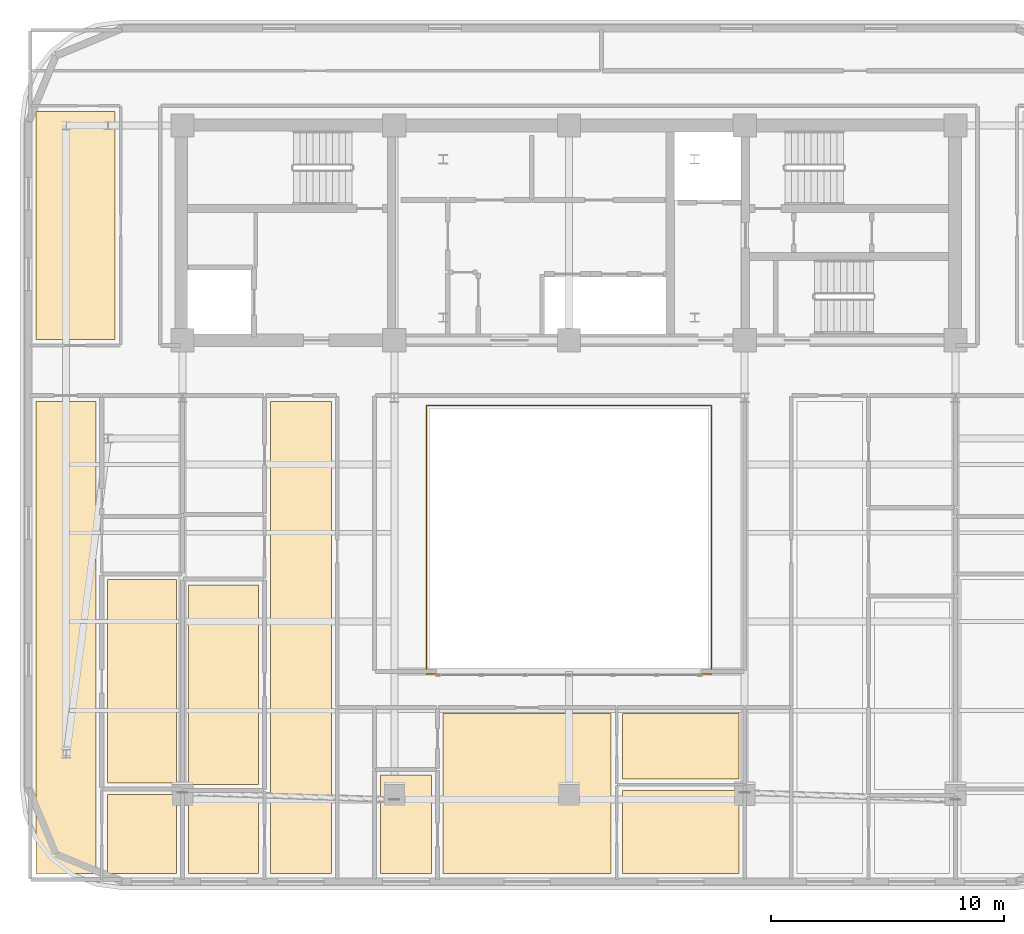
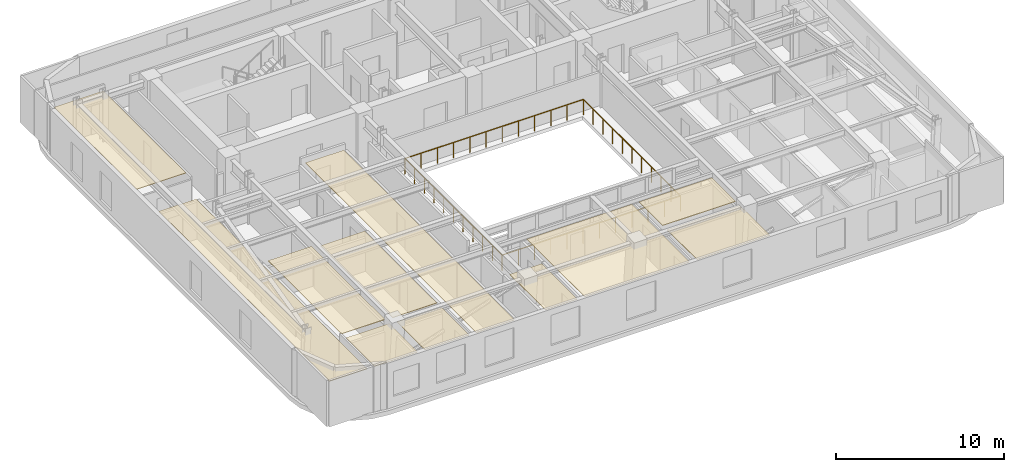
# One storey, part 12 of 15: 11 coverings, 1 railing.
"""IFC4 building model written with IfcOpenShell, lengths in metres."""

from ifc_helpers import new_model, si_unit, direction, frame, origin, origin_2d, place, context, subcontext, project, spatial, polyline, rectangle, outline, extrude, material, layer, layer_set, type_object, element, save


model = new_model("IFC4")

# Units and contexts
model_context = context("Model", 3, precision=1e-05, world=origin(), true_north=direction((0.0, 1.0)))
body_context = subcontext(model_context, "Body", "Model", "MODEL_VIEW")
ifc_project = project(units=[si_unit("LENGTHUNIT", "METRE"), si_unit("AREAUNIT", "SQUARE_METRE"), si_unit("VOLUMEUNIT", "CUBIC_METRE"), si_unit("PLANEANGLEUNIT", "RADIAN"), si_unit("MASSUNIT", "GRAM", prefix="KILO")], contexts=[model_context])

# Site, building, storey
site_placement = place(None, origin())
site = spatial("IfcSite", under=ifc_project, at=site_placement, CompositionType="ELEMENT")
building_placement = place(site_placement, origin())
building = spatial("IfcBuilding", under=site, at=building_placement, Name="Zarnavel Station Tower", CompositionType="ELEMENT")
storey_placement = place(building_placement, frame((0.0, 0.0, 196.800048828125)))
storey = spatial("IfcBuildingStorey", under=building, at=storey_placement, Name="L53", CompositionType="ELEMENT", Elevation=196.800048828125)

# Coverings
ifc_material_1 = material(Name="Perforated Gypsum and Mineral-Wool Acoustic Ceiling", Category="concrete")
ifc_layer = layer(ifc_material_1, 0.0400390625)
ifc_layer_set = layer_set([ifc_layer], Name="COV_CEIL_ACOUSTIC")
covering_type = type_object("IfcCoveringType", Name="COV_CEIL_ACOUSTIC", PredefinedType="CEILING", material=ifc_layer_set)
covering_1_placement = place(storey_placement, frame((0.0, 0.0, 3.02001953125)))
element("IfcCovering", 1, at=covering_1_placement, inside=storey, type_object=covering_type, Name="L53 FNW Acoustic Ceiling", PredefinedType="CEILING", context=body_context, shape_type="SweptSolid", body=[
    extrude(outline(polyline([(5.909912109375, 27.85009765625), (9.300048828125, 27.85009765625), (9.300048828125, 37.64990234375), (5.909912109375, 37.64990234375), (5.909912109375, 27.85009765625)])), origin(), (0.0, 0.0, 1.0), 0.0400390625),
])
covering_2_placement = place(storey_placement, frame((0.0, 0.0, 3.02001953125)))
element("IfcCovering", 2, at=covering_2_placement, inside=storey, type_object=covering_type, Name="L53 UW1LV Acoustic Ceiling", PredefinedType="CEILING", context=body_context, shape_type="SweptSolid", body=[
    extrude(outline(polyline([(5.909912109375, 4.909912109375), (8.48388671875, 4.909912109375), (8.48388671875, 25.199951171875), (5.909912109375, 25.199951171875), (5.909912109375, 4.909912109375)])), origin(), (0.0, 0.0, 1.0), 0.0400390625),
])
covering_3_placement = place(storey_placement, frame((0.0, 0.0, 3.02001953125)))
element("IfcCovering", 3, at=covering_3_placement, inside=storey, type_object=covering_type, Name="L53 UW1B1 Acoustic Ceiling", PredefinedType="CEILING", context=body_context, shape_type="SweptSolid", body=[
    extrude(outline(polyline([(8.98388671875, 4.909912109375), (11.949951171875, 4.909912109375), (11.949951171875, 8.304931640625), (8.98388671875, 8.304931640625), (8.98388671875, 4.909912109375)])), origin(), (0.0, 0.0, 1.0), 0.0400390625),
])
covering_4_placement = place(storey_placement, frame((0.0, 0.0, 3.02001953125)))
element("IfcCovering", 4, at=covering_4_placement, inside=storey, type_object=covering_type, Name="L53 UW1KT Acoustic Ceiling", PredefinedType="CEILING", context=body_context, shape_type="SweptSolid", body=[
    extrude(outline(polyline([(8.98388671875, 8.804931640625), (11.949951171875, 8.804931640625), (11.949951171875, 17.5380859375), (8.98388671875, 17.5380859375), (8.98388671875, 8.804931640625)])), origin(), (0.0, 0.0, 1.0), 0.0400390625),
])
covering_5_placement = place(storey_placement, frame((0.0, 0.0, 3.02001953125)))
element("IfcCovering", 5, at=covering_5_placement, inside=storey, type_object=covering_type, Name="L53 UW2LV Acoustic Ceiling", PredefinedType="CEILING", context=body_context, shape_type="SweptSolid", body=[
    extrude(outline(polyline([(15.97509765625, 4.909912109375), (18.60009765625, 4.909912109375), (18.60009765625, 25.199951171875), (15.97509765625, 25.199951171875), (15.97509765625, 4.909912109375)])), origin(), (0.0, 0.0, 1.0), 0.0400390625),
])
covering_6_placement = place(storey_placement, frame((0.0, 0.0, 3.02001953125)))
element("IfcCovering", 6, at=covering_6_placement, inside=storey, type_object=covering_type, Name="L53 UW2B1 Acoustic Ceiling", PredefinedType="CEILING", context=body_context, shape_type="SweptSolid", body=[
    extrude(outline(polyline([(12.449951171875, 4.909912109375), (15.47509765625, 4.909912109375), (15.47509765625, 8.239990234375), (12.449951171875, 8.239990234375), (12.449951171875, 4.909912109375)])), origin(), (0.0, 0.0, 1.0), 0.0400390625),
])
covering_7_placement = place(storey_placement, frame((0.0, 0.0, 3.02001953125)))
element("IfcCovering", 7, at=covering_7_placement, inside=storey, type_object=covering_type, Name="L53 UW2KT Acoustic Ceiling", PredefinedType="CEILING", context=body_context, shape_type="SweptSolid", body=[
    extrude(outline(polyline([(12.449951171875, 8.739990234375), (15.47509765625, 8.739990234375), (15.47509765625, 17.318115234375), (12.449951171875, 17.318115234375), (12.449951171875, 8.739990234375)])), origin(), (0.0, 0.0, 1.0), 0.0400390625),
])
covering_8_placement = place(storey_placement, frame((0.0, 0.0, 3.02001953125)))
element("IfcCovering", 8, at=covering_8_placement, inside=storey, type_object=covering_type, Name="L53 US1LV Acoustic Ceiling", PredefinedType="CEILING", context=body_context, shape_type="SweptSolid", body=[
    extrude(outline(polyline([(23.39990234375, 4.909912109375), (30.60009765625, 4.909912109375), (30.60009765625, 11.800048828125), (23.39990234375, 11.800048828125), (23.39990234375, 4.909912109375)])), origin(), (0.0, 0.0, 1.0), 0.0400390625),
])
covering_9_placement = place(storey_placement, frame((0.0, 0.0, 3.02001953125)))
element("IfcCovering", 9, at=covering_9_placement, inside=storey, type_object=covering_type, Name="L53 US1KT Acoustic Ceiling", PredefinedType="CEILING", context=body_context, shape_type="SweptSolid", body=[
    extrude(outline(polyline([(20.699951171875, 4.909912109375), (22.89990234375, 4.909912109375), (22.89990234375, 9.139892578125), (20.699951171875, 9.139892578125), (20.699951171875, 4.909912109375)])), origin(), (0.0, 0.0, 1.0), 0.0400390625),
])
covering_10_placement = place(storey_placement, frame((0.0, 0.0, 3.02001953125)))
element("IfcCovering", 10, at=covering_10_placement, inside=storey, type_object=covering_type, Name="L53 US1B1 Acoustic Ceiling", PredefinedType="CEILING", context=body_context, shape_type="SweptSolid", body=[
    extrude(outline(polyline([(31.10009765625, 4.909912109375), (36.10009765625, 4.909912109375), (36.10009765625, 8.485107421875), (31.10009765625, 8.485107421875), (31.10009765625, 4.909912109375)])), origin(), (0.0, 0.0, 1.0), 0.0400390625),
])
covering_11_placement = place(storey_placement, frame((0.0, 0.0, 3.02001953125)))
element("IfcCovering", 11, at=covering_11_placement, inside=storey, type_object=covering_type, Name="L53 US1B2 Acoustic Ceiling", PredefinedType="CEILING", context=body_context, shape_type="SweptSolid", body=[
    extrude(outline(polyline([(31.10009765625, 8.985107421875), (36.10009765625, 8.985107421875), (36.10009765625, 11.800048828125), (31.10009765625, 11.800048828125), (31.10009765625, 8.985107421875)])), origin(), (0.0, 0.0, 1.0), 0.0400390625),
])

# Railing
ifc_material_2 = material(Name="Painted Steel S355J2 Balustrade", Category="steel")
railing_type = type_object("IfcRailingType", Name="GR_INT_1150", PredefinedType="GUARDRAIL", material=ifc_material_2)
railing_placement = place(storey_placement, frame((22.679931640625, 13.47998046875, 0.0)))
element("IfcRailing", 12, at=railing_placement, inside=storey, type_object=railing_type, Name="L53 Atrium Void Guardrail", PredefinedType="GUARDRAIL", context=body_context, shape_type="SweptSolid", body=[
    extrude(rectangle(XDim=0.048095703125, YDim=0.048095703125, at=origin_2d()), frame((0.001953125, 0.0, 1.1259765625), z_axis=(1.0, 0.0, 0.0), x_axis=(0.0, 1.0, 0.0)), (0.0, 0.0, 1.0), 12.236083984375),
    extrude(rectangle(XDim=0.048095703125, YDim=0.048095703125, at=origin_2d()), frame((12.239990234375, 0.001953125, 1.1259765625), z_axis=(0.0, 1.0, 0.0), x_axis=(-1.0, 0.0, 0.0)), (0.0, 0.0, 1.0), 11.5361328125),
    extrude(rectangle(XDim=0.048095703125, YDim=0.048095703125, at=origin_2d()), frame((12.238037109375, 11.5400390625, 1.1259765625), z_axis=(-1.0, 0.0, 0.0), x_axis=(0.0, -1.0, 0.0)), (0.0, 0.0, 1.0), 12.236083984375),
    extrude(rectangle(XDim=0.048095703125, YDim=0.048095703125, at=origin_2d()), frame((0.0, 11.5380859375, 1.1259765625), z_axis=(0.0, -1.0, 0.0), x_axis=(1.0, 0.0, 0.0)), (0.0, 0.0, 1.0), 11.5361328125),
    extrude(rectangle(XDim=0.0419921875, YDim=0.0419921875, at=origin_2d()), origin(), (0.0, 0.0, 1.0), 1.101806640625),
    extrude(rectangle(XDim=0.0419921875, YDim=0.0419921875, at=origin_2d()), frame((1.11279296875, 0.0, 0.0)), (0.0, 0.0, 1.0), 1.101806640625),
    extrude(rectangle(XDim=0.0419921875, YDim=0.0419921875, at=origin_2d()), frame((2.225341796875, 0.0, 0.0)), (0.0, 0.0, 1.0), 1.101806640625),
    extrude(rectangle(XDim=0.0419921875, YDim=0.0419921875, at=origin_2d()), frame((3.338134765625, 0.0, 0.0)), (0.0, 0.0, 1.0), 1.101806640625),
    extrude(rectangle(XDim=0.0419921875, YDim=0.0419921875, at=origin_2d()), frame((4.450927734375, 0.0, 0.0)), (0.0, 0.0, 1.0), 1.101806640625),
    extrude(rectangle(XDim=0.0419921875, YDim=0.0419921875, at=origin_2d()), frame((5.563720703125, 0.0, 0.0)), (0.0, 0.0, 1.0), 1.101806640625),
    extrude(rectangle(XDim=0.0419921875, YDim=0.0419921875, at=origin_2d()), frame((6.67626953125, 0.0, 0.0)), (0.0, 0.0, 1.0), 1.101806640625),
    extrude(rectangle(XDim=0.0419921875, YDim=0.0419921875, at=origin_2d()), frame((7.7890625, 0.0, 0.0)), (0.0, 0.0, 1.0), 1.101806640625),
    extrude(rectangle(XDim=0.0419921875, YDim=0.0419921875, at=origin_2d()), frame((8.90185546875, 0.0, 0.0)), (0.0, 0.0, 1.0), 1.101806640625),
    extrude(rectangle(XDim=0.0419921875, YDim=0.0419921875, at=origin_2d()), frame((10.0146484375, 0.0, 0.0)), (0.0, 0.0, 1.0), 1.101806640625),
    extrude(rectangle(XDim=0.0419921875, YDim=0.0419921875, at=origin_2d()), frame((11.127197265625, 0.0, 0.0)), (0.0, 0.0, 1.0), 1.101806640625),
    extrude(rectangle(XDim=0.0419921875, YDim=0.0419921875, at=origin_2d()), frame((12.239990234375, 0.0, 0.0)), (0.0, 0.0, 1.0), 1.101806640625),
    extrude(rectangle(XDim=0.0419921875, YDim=0.0419921875, at=origin_2d()), frame((12.239990234375, 1.154052734375, 0.0)), (0.0, 0.0, 1.0), 1.101806640625),
    extrude(rectangle(XDim=0.0419921875, YDim=0.0419921875, at=origin_2d()), frame((12.239990234375, 2.30810546875, 0.0)), (0.0, 0.0, 1.0), 1.101806640625),
    extrude(rectangle(XDim=0.0419921875, YDim=0.0419921875, at=origin_2d()), frame((12.239990234375, 3.4619140625, 0.0)), (0.0, 0.0, 1.0), 1.101806640625),
    extrude(rectangle(XDim=0.0419921875, YDim=0.0419921875, at=origin_2d()), frame((12.239990234375, 4.615966796875, 0.0)), (0.0, 0.0, 1.0), 1.101806640625),
    extrude(rectangle(XDim=0.0419921875, YDim=0.0419921875, at=origin_2d()), frame((12.239990234375, 5.77001953125, 0.0)), (0.0, 0.0, 1.0), 1.101806640625),
    extrude(rectangle(XDim=0.0419921875, YDim=0.0419921875, at=origin_2d()), frame((12.239990234375, 6.924072265625, 0.0)), (0.0, 0.0, 1.0), 1.101806640625),
    extrude(rectangle(XDim=0.0419921875, YDim=0.0419921875, at=origin_2d()), frame((12.239990234375, 8.078125, 0.0)), (0.0, 0.0, 1.0), 1.101806640625),
    extrude(rectangle(XDim=0.0419921875, YDim=0.0419921875, at=origin_2d()), frame((12.239990234375, 9.23193359375, 0.0)), (0.0, 0.0, 1.0), 1.101806640625),
    extrude(rectangle(XDim=0.0419921875, YDim=0.0419921875, at=origin_2d()), frame((12.239990234375, 10.385986328125, 0.0)), (0.0, 0.0, 1.0), 1.101806640625),
    extrude(rectangle(XDim=0.0419921875, YDim=0.0419921875, at=origin_2d()), frame((12.239990234375, 11.5400390625, 0.0)), (0.0, 0.0, 1.0), 1.101806640625),
    extrude(rectangle(XDim=0.0419921875, YDim=0.0419921875, at=origin_2d()), frame((11.127197265625, 11.5400390625, 0.0)), (0.0, 0.0, 1.0), 1.101806640625),
    extrude(rectangle(XDim=0.0419921875, YDim=0.0419921875, at=origin_2d()), frame((10.0146484375, 11.5400390625, 0.0)), (0.0, 0.0, 1.0), 1.101806640625),
    extrude(rectangle(XDim=0.0419921875, YDim=0.0419921875, at=origin_2d()), frame((8.90185546875, 11.5400390625, 0.0)), (0.0, 0.0, 1.0), 1.101806640625),
    extrude(rectangle(XDim=0.0419921875, YDim=0.0419921875, at=origin_2d()), frame((7.7890625, 11.5400390625, 0.0)), (0.0, 0.0, 1.0), 1.101806640625),
    extrude(rectangle(XDim=0.0419921875, YDim=0.0419921875, at=origin_2d()), frame((6.67626953125, 11.5400390625, 0.0)), (0.0, 0.0, 1.0), 1.101806640625),
    extrude(rectangle(XDim=0.0419921875, YDim=0.0419921875, at=origin_2d()), frame((5.563720703125, 11.5400390625, 0.0)), (0.0, 0.0, 1.0), 1.101806640625),
    extrude(rectangle(XDim=0.0419921875, YDim=0.0419921875, at=origin_2d()), frame((4.450927734375, 11.5400390625, 0.0)), (0.0, 0.0, 1.0), 1.101806640625),
    extrude(rectangle(XDim=0.0419921875, YDim=0.0419921875, at=origin_2d()), frame((3.338134765625, 11.5400390625, 0.0)), (0.0, 0.0, 1.0), 1.101806640625),
    extrude(rectangle(XDim=0.0419921875, YDim=0.0419921875, at=origin_2d()), frame((2.225341796875, 11.5400390625, 0.0)), (0.0, 0.0, 1.0), 1.101806640625),
    extrude(rectangle(XDim=0.0419921875, YDim=0.0419921875, at=origin_2d()), frame((1.11279296875, 11.5400390625, 0.0)), (0.0, 0.0, 1.0), 1.101806640625),
    extrude(rectangle(XDim=0.0419921875, YDim=0.0419921875, at=origin_2d()), frame((0.0, 11.5400390625, 0.0)), (0.0, 0.0, 1.0), 1.101806640625),
    extrude(rectangle(XDim=0.0419921875, YDim=0.0419921875, at=origin_2d()), frame((0.0, 10.385986328125, 0.0)), (0.0, 0.0, 1.0), 1.101806640625),
    extrude(rectangle(XDim=0.0419921875, YDim=0.0419921875, at=origin_2d()), frame((0.0, 9.23193359375, 0.0)), (0.0, 0.0, 1.0), 1.101806640625),
    extrude(rectangle(XDim=0.0419921875, YDim=0.0419921875, at=origin_2d()), frame((0.0, 8.078125, 0.0)), (0.0, 0.0, 1.0), 1.101806640625),
    extrude(rectangle(XDim=0.0419921875, YDim=0.0419921875, at=origin_2d()), frame((0.0, 6.924072265625, 0.0)), (0.0, 0.0, 1.0), 1.101806640625),
    extrude(rectangle(XDim=0.0419921875, YDim=0.0419921875, at=origin_2d()), frame((0.0, 5.77001953125, 0.0)), (0.0, 0.0, 1.0), 1.101806640625),
    extrude(rectangle(XDim=0.0419921875, YDim=0.0419921875, at=origin_2d()), frame((0.0, 4.615966796875, 0.0)), (0.0, 0.0, 1.0), 1.101806640625),
    extrude(rectangle(XDim=0.0419921875, YDim=0.0419921875, at=origin_2d()), frame((0.0, 3.4619140625, 0.0)), (0.0, 0.0, 1.0), 1.101806640625),
    extrude(rectangle(XDim=0.0419921875, YDim=0.0419921875, at=origin_2d()), frame((0.0, 2.30810546875, 0.0)), (0.0, 0.0, 1.0), 1.101806640625),
    extrude(rectangle(XDim=0.0419921875, YDim=0.0419921875, at=origin_2d()), frame((0.0, 1.154052734375, 0.0)), (0.0, 0.0, 1.0), 1.101806640625),
])

save(model, "model.ifc")
